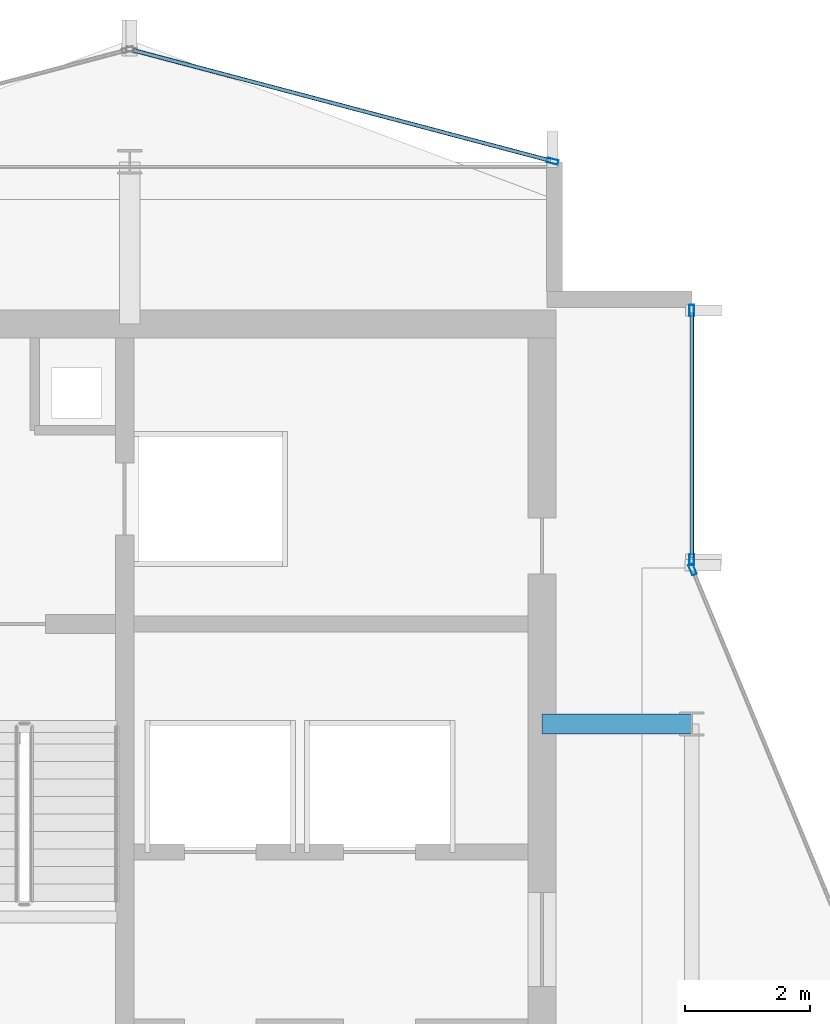
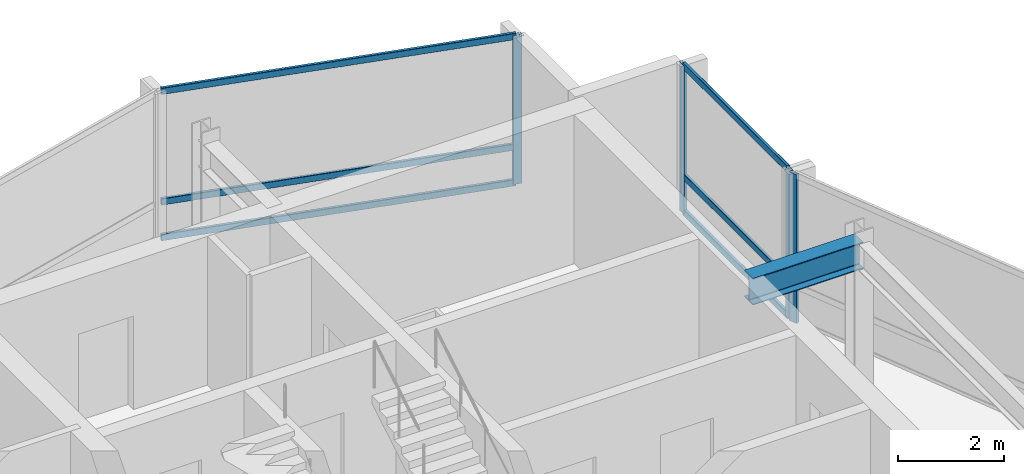
# One storey, part 12 of 19: 10 members, 1 beam, 3 elements without a shape of their own.
"""IFC4 building model written with IfcOpenShell, lengths in metres."""

from ifc_helpers import new_model, si_unit, direction, frame, origin, origin_2d, place, context, subcontext, project, spatial, hollow_rectangle, i_section, extrude, material, layer, layer_set, material_profile, profile_set, type_object, element, aggregate, save


model = new_model("IFC4")

# Units and contexts
model_context = context("Model", 3, precision=1e-05, world=origin(), true_north=direction((0.0, 1.0)))
body_context = subcontext(model_context, "Body", "Model", "MODEL_VIEW")
ifc_project = project(units=[si_unit("LENGTHUNIT", "METRE"), si_unit("AREAUNIT", "SQUARE_METRE"), si_unit("VOLUMEUNIT", "CUBIC_METRE"), si_unit("PLANEANGLEUNIT", "RADIAN"), si_unit("MASSUNIT", "GRAM", prefix="KILO")], contexts=[model_context])

# Site, building, storey
site_placement = place(None, origin())
site = spatial("IfcSite", under=ifc_project, at=site_placement, CompositionType="ELEMENT")
building_placement = place(site_placement, origin())
building = spatial("IfcBuilding", under=site, at=building_placement, Name="Solvaryn Broadcast Tower", CompositionType="ELEMENT")
storey_placement = place(building_placement, frame((0.0, 0.0, 244.5)))
storey = spatial("IfcBuildingStorey", under=building, at=storey_placement, Name="L61", CompositionType="ELEMENT", Elevation=244.5)

# Beam
ifc_material_1 = material(Name="Steel ASTM A992 Grade 50", Category="steel")
ifc_material_profile_1 = material_profile(ifc_material_1, i_section(OverallWidth=0.323974609375, OverallDepth=0.611083984375, WebThickness=0.0126953125, FlangeThickness=0.01904296875, FilletRadius=0.014892578125, at=origin_2d()))
ifc_profile_set_1 = profile_set([ifc_material_profile_1], Name="Steel ASTM A992 Grade 50")
beam_type = type_object("IfcBeamType", Name="BM-B1-W24X104", PredefinedType="BEAM", material=ifc_profile_set_1)
beam_placement = place(storey_placement, frame((24.60009765625, 36.0, 3.114501953125), z_axis=(1.0, 0.0, 0.0), x_axis=(0.0, 1.0, 0.0)))
element("IfcBeam", 1, at=beam_placement, inside=storey, type_object=beam_type, Name="L61 Core Tie Beam CTW2", PredefinedType="BEAM", context=body_context, shape_type="SweptSolid", body=[
    extrude(i_section(OverallWidth=0.323974609375, OverallDepth=0.611083984375, WebThickness=0.0126953125, FlangeThickness=0.01904296875, FilletRadius=0.014892578125, at=origin_2d()), origin(), (0.0, 0.0, 1.0), 2.39990234375),
])

# Curtain wall, members
ifc_material_2 = material(Name="Aluminium and Terracotta Unitised Curtain Wall", Category="masonry")
ifc_layer = layer(ifc_material_2, 0.199951171875)
ifc_layer_set = layer_set([ifc_layer], Name="CW-SYS2-LOWMID")
curtain_wall_type = type_object("IfcCurtainWallType", Name="CW-SYS2-LOWMID", PredefinedType="NOTDEFINED", material=ifc_layer_set)
curtain_wall_1_placement = place(storey_placement, origin())
curtain_wall_1 = element("IfcCurtainWall", 2, at=curtain_wall_1_placement, inside=storey, type_object=curtain_wall_type, Name="L61 Curtain Wall IV", PredefinedType="NOTDEFINED")
ifc_material_3 = material(Name="Anodised Aluminium 6063-T6", Category="aluminium")
ifc_material_profile_2 = material_profile(ifc_material_3, hollow_rectangle(XDim=0.074951171875, YDim=0.179931640625, WallThickness=0.00390625, InnerFilletRadius=0.00390625, OuterFilletRadius=0.008056640625, at=origin_2d()))
ifc_profile_set_2 = profile_set([ifc_material_profile_2], Name="Anodised Aluminium 6063-T6")
member_type_1 = type_object("IfcMemberType", Name="CW-MUL-180", PredefinedType="MULLION", material=ifc_profile_set_2)
member_1_placement = place(storey_placement, frame((27.0, 42.6201171875, 0.0), z_axis=(0.0, 0.0, 1.0), x_axis=(1.0, 0.0, 0.0)))
member_1 = element("IfcMember", 3, at=member_1_placement, type_object=member_type_1, Name="CWS2 mullion 1", PredefinedType="MULLION", context=body_context, shape_type="SweptSolid", body=[
    extrude(hollow_rectangle(XDim=0.074951171875, YDim=0.179931640625, WallThickness=0.00390625, InnerFilletRadius=0.00390625, OuterFilletRadius=0.008056640625, at=origin_2d()), origin(), (0.0, 0.0, 1.0), 3.419921875),
])
member_2_placement = place(storey_placement, frame((27.0, 38.6298828125, 0.0), z_axis=(0.0, 0.0, 1.0), x_axis=(1.0, 0.0, 0.0)))
member_2 = element("IfcMember", 4, at=member_2_placement, type_object=member_type_1, Name="CWS2 mullion 2", PredefinedType="MULLION", context=body_context, shape_type="SweptSolid", body=[
    extrude(hollow_rectangle(XDim=0.074951171875, YDim=0.179931640625, WallThickness=0.00390625, InnerFilletRadius=0.00390625, OuterFilletRadius=0.008056640625, at=origin_2d()), origin(), (0.0, 0.0, 1.0), 3.419921875),
])

# Curtain wall, member
curtain_wall_2_placement = place(storey_placement, origin())
curtain_wall_2 = element("IfcCurtainWall", 5, at=curtain_wall_2_placement, inside=storey, type_object=curtain_wall_type, Name="L61 Curtain Wall CN2", PredefinedType="NOTDEFINED")
member_3_placement = place(storey_placement, frame((27.011474609375, 38.47216796875, 0.0), z_axis=(0.0, 0.0, 1.0), x_axis=(-0.923894983957, -0.382646127145, 0.0)))
member_3 = element("IfcMember", 6, at=member_3_placement, type_object=member_type_1, Name="CWS2 mullion 2", PredefinedType="MULLION", context=body_context, shape_type="SweptSolid", body=[
    extrude(hollow_rectangle(XDim=0.074951171875, YDim=0.179931640625, WallThickness=0.00390625, InnerFilletRadius=0.00390625, OuterFilletRadius=0.008056640625, at=origin_2d()), origin(), (0.0, 0.0, 1.0), 3.419921875),
])
aggregate(curtain_wall_2, [member_3])

curtain_wall_3_placement = place(storey_placement, origin())
curtain_wall_3 = element("IfcCurtainWall", 7, at=curtain_wall_3_placement, inside=storey, type_object=curtain_wall_type, Name="L61 Curtain Wall NT1", PredefinedType="NOTDEFINED")
member_4_placement = place(storey_placement, frame((24.77099609375, 45.007568359375, 0.0), z_axis=(0.0, 0.0, 1.0), x_axis=(-0.25589256031, -0.966705227863, 0.0)))
member_4 = element("IfcMember", 8, at=member_4_placement, type_object=member_type_1, Name="CWS2 mullion 1", PredefinedType="MULLION", context=body_context, shape_type="SweptSolid", body=[
    extrude(hollow_rectangle(XDim=0.074951171875, YDim=0.179931640625, WallThickness=0.00390625, InnerFilletRadius=0.00390625, OuterFilletRadius=0.008056640625, at=origin_2d()), origin(), (0.0, 0.0, 1.0), 3.419921875),
])

# Member
ifc_material_4 = material(Name="Anodised Aluminium 6063-T6", Category="aluminium")
ifc_material_profile_3 = material_profile(ifc_material_4, hollow_rectangle(XDim=0.06494140625, YDim=0.14990234375, WallThickness=0.00390625, InnerFilletRadius=0.00390625, OuterFilletRadius=0.008056640625, at=origin_2d()))
ifc_profile_set_3 = profile_set([ifc_material_profile_3], Name="Anodised Aluminium 6063-T6")
member_type_2 = type_object("IfcMemberType", Name="CW-TRN-150", PredefinedType="USERDEFINED", material=ifc_profile_set_3)
member_5_placement = place(storey_placement, frame((27.0, 42.590087890625, 0.030029296875), z_axis=(0.0, -1.0, 0.0), x_axis=(1.0, 0.0, 0.0)))
member_5 = element("IfcMember", 9, at=member_5_placement, type_object=member_type_2, Name="CWS2 transom 1.1", ObjectType="TRANSOM", PredefinedType="USERDEFINED", context=body_context, shape_type="SweptSolid", body=[
    extrude(hollow_rectangle(XDim=0.06494140625, YDim=0.14990234375, WallThickness=0.00390625, InnerFilletRadius=0.00390625, OuterFilletRadius=0.008056640625, at=origin_2d()), origin(), (0.0, 0.0, 1.0), 3.93017578125),
])

member_6_placement = place(storey_placement, frame((27.0, 42.590087890625, 0.85009765625), z_axis=(0.0, -1.0, 0.0), x_axis=(1.0, 0.0, 0.0)))
member_6 = element("IfcMember", 10, at=member_6_placement, type_object=member_type_2, Name="CWS2 transom 1.2", ObjectType="TRANSOM", PredefinedType="USERDEFINED", context=body_context, shape_type="SweptSolid", body=[
    extrude(hollow_rectangle(XDim=0.06494140625, YDim=0.14990234375, WallThickness=0.00390625, InnerFilletRadius=0.00390625, OuterFilletRadius=0.008056640625, at=origin_2d()), origin(), (0.0, 0.0, 1.0), 3.93017578125),
])

member_7_placement = place(storey_placement, frame((27.0, 42.590087890625, 3.389892578125), z_axis=(0.0, -1.0, 0.0), x_axis=(1.0, 0.0, 0.0)))
member_7 = element("IfcMember", 11, at=member_7_placement, type_object=member_type_2, Name="CWS2 transom 1.3", ObjectType="TRANSOM", PredefinedType="USERDEFINED", context=body_context, shape_type="SweptSolid", body=[
    extrude(hollow_rectangle(XDim=0.06494140625, YDim=0.14990234375, WallThickness=0.00390625, InnerFilletRadius=0.00390625, OuterFilletRadius=0.008056640625, at=origin_2d()), origin(), (0.0, 0.0, 1.0), 3.93017578125),
])

aggregate(curtain_wall_1, [member_1, member_2, member_5, member_6, member_7])

member_8_placement = place(storey_placement, frame((24.741943359375, 45.015380859375, 0.030029296875), z_axis=(-0.966703943301, 0.255897413051, 0.0), x_axis=(-0.255897413051, -0.966703943301, 0.0)))
member_8 = element("IfcMember", 12, at=member_8_placement, type_object=member_type_2, Name="CWS2 transom 1.1", ObjectType="TRANSOM", PredefinedType="USERDEFINED", context=body_context, shape_type="SweptSolid", body=[
    extrude(hollow_rectangle(XDim=0.06494140625, YDim=0.14990234375, WallThickness=0.00390625, InnerFilletRadius=0.00390625, OuterFilletRadius=0.008056640625, at=origin_2d()), origin(), (0.0, 0.0, 1.0), 6.9140625),
])

member_9_placement = place(storey_placement, frame((24.741943359375, 45.015380859375, 0.85009765625), z_axis=(-0.966703943301, 0.255897413051, 0.0), x_axis=(-0.255897413051, -0.966703943301, 0.0)))
member_9 = element("IfcMember", 13, at=member_9_placement, type_object=member_type_2, Name="CWS2 transom 1.2", ObjectType="TRANSOM", PredefinedType="USERDEFINED", context=body_context, shape_type="SweptSolid", body=[
    extrude(hollow_rectangle(XDim=0.06494140625, YDim=0.14990234375, WallThickness=0.00390625, InnerFilletRadius=0.00390625, OuterFilletRadius=0.008056640625, at=origin_2d()), origin(), (0.0, 0.0, 1.0), 6.9140625),
])

member_10_placement = place(storey_placement, frame((24.741943359375, 45.015380859375, 3.389892578125), z_axis=(-0.966703943301, 0.255897413051, 0.0), x_axis=(-0.255897413051, -0.966703943301, 0.0)))
member_10 = element("IfcMember", 14, at=member_10_placement, type_object=member_type_2, Name="CWS2 transom 1.3", ObjectType="TRANSOM", PredefinedType="USERDEFINED", context=body_context, shape_type="SweptSolid", body=[
    extrude(hollow_rectangle(XDim=0.06494140625, YDim=0.14990234375, WallThickness=0.00390625, InnerFilletRadius=0.00390625, OuterFilletRadius=0.008056640625, at=origin_2d()), origin(), (0.0, 0.0, 1.0), 6.9140625),
])

aggregate(curtain_wall_3, [member_4, member_8, member_9, member_10])

save(model, "model.ifc")
